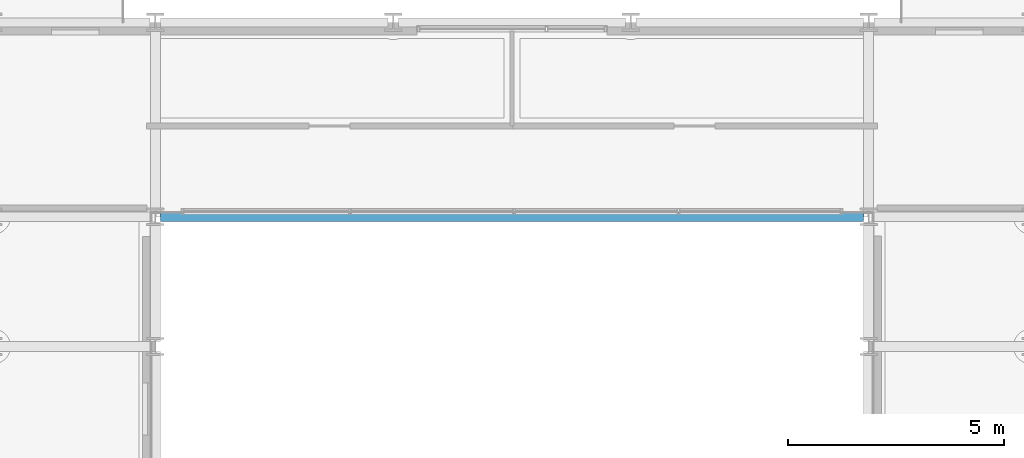
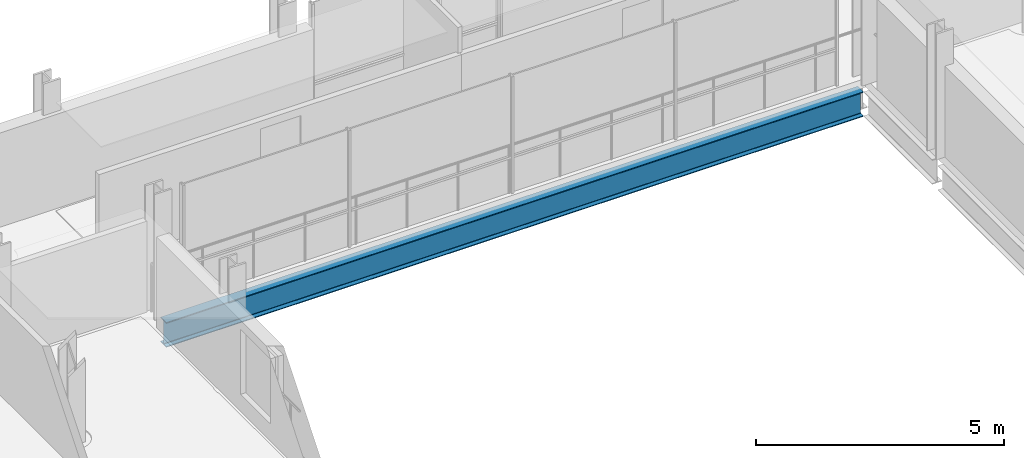
# One storey, part 12 of 40: 1 beam.
"""IFC4 building model written with IfcOpenShell, lengths in metres."""

import ifcopenshell
import ifcopenshell.guid

model = None  # the IFC model being written
_history = None  # IfcOwnerHistory: only IFC2X3 demands one
_inside = {}  # id of a spatial element -> (the spatial element, [elements in it])
_under = {}  # id of a project, library or spatial element -> (it, [spatial elements below it])
_declared = {}  # id of a project -> (the project, [libraries it declares])
_typed = {}  # id of a type object -> (the type object, [elements of that type])
_made_of = {}  # id of a material, layer set ... -> (it, [elements and type objects made of it])


def new_model(schema):
    """Start an empty IFC model of exactly this schema.

    Asked for "IFC4X3", IfcOpenShell would pick the latest addendum, in which some entities
    have other attributes; the version numbers below select the first issue.
    IFC2X3 requires an IfcOwnerHistory on every rooted entity: one is made here for all.
    """
    global model, _history
    if schema == "IFC4X3":
        model = ifcopenshell.file(schema_version=(4, 3, 0, 0))
    else:
        model = ifcopenshell.file(schema=schema)
    _inside.clear()
    _under.clear()
    _declared.clear()
    _typed.clear()
    _made_of.clear()
    _history = None
    if model.schema == "IFC2X3":
        org = make("IfcOrganization", Name="unknown")
        user = make(
            "IfcPersonAndOrganization",
            ThePerson=make("IfcPerson", FamilyName="unknown"),
            TheOrganization=org,
        )
        app = make(
            "IfcApplication",
            ApplicationDeveloper=org,
            Version="unknown",
            ApplicationFullName="unknown",
            ApplicationIdentifier="unknown",
        )
        _history = make(
            "IfcOwnerHistory",
            OwningUser=user,
            OwningApplication=app,
            ChangeAction="ADDED",
            CreationDate=0,
        )
    return model


def make(cls, **values):
    """One entity of the class cls with the attributes given. An attribute that is None is left unset."""
    return model.create_entity(
        cls, **{name: value for name, value in values.items() if value is not None}
    )


def rooted(cls, **values):
    """An entity with a GlobalId (a new one), such as an element, a storey or a relation."""
    return make(cls, GlobalId=ifcopenshell.guid.new(), OwnerHistory=_history, **values)


def si_unit(unit_type, name, prefix=None):
    """IfcSIUnit, for example si_unit("LENGTHUNIT", "METRE", prefix="MILLI")."""
    return make("IfcSIUnit", UnitType=unit_type, Prefix=prefix, Name=name)


def assignment(units):
    """IfcUnitAssignment: the units of a project."""
    return None if units is None else make("IfcUnitAssignment", Units=units)


def point(xyz):
    """IfcCartesianPoint."""
    return None if xyz is None else make("IfcCartesianPoint", Coordinates=xyz)


def direction(xyz):
    """IfcDirection."""
    return None if xyz is None else make("IfcDirection", DirectionRatios=xyz)


def frame(location, z_axis=None, x_axis=None):
    """IfcAxis2Placement3D, a coordinate frame: its origin and axes. An axis left out is left unset."""
    return make(
        "IfcAxis2Placement3D",
        Location=point(location),
        Axis=direction(z_axis),
        RefDirection=direction(x_axis),
    )


def frame_2d(location, x_axis=None):
    """IfcAxis2Placement2D, a coordinate frame in the plane: its origin and x axis."""
    return make(
        "IfcAxis2Placement2D", Location=point(location), RefDirection=direction(x_axis)
    )


def origin():
    """The frame at (0, 0, 0) with its axes left unset."""
    return frame((0.0, 0.0, 0.0))


def origin_2d():
    """The frame at (0, 0) in the plane with its x axis left unset."""
    return frame_2d((0.0, 0.0))


def place(relative_to, where):
    """IfcLocalPlacement: puts the frame where relative to a parent placement (None: the world)."""
    return make(
        "IfcLocalPlacement", PlacementRelTo=relative_to, RelativePlacement=where
    )


def context(
    kind, dimensions, precision=None, world=None, true_north=None, identifier=None
):
    """IfcGeometricRepresentationContext, for example the 3D "Model" context."""
    return make(
        "IfcGeometricRepresentationContext",
        ContextIdentifier=identifier,
        ContextType=kind,
        CoordinateSpaceDimension=dimensions,
        Precision=precision,
        WorldCoordinateSystem=world,
        TrueNorth=true_north,
    )


def subcontext(parent, identifier, kind, view, scale=None):
    """IfcGeometricRepresentationSubContext, for example "Body" below "Model"."""
    return make(
        "IfcGeometricRepresentationSubContext",
        ContextIdentifier=identifier,
        ContextType=kind,
        ParentContext=parent,
        TargetScale=scale,
        TargetView=view,
    )


def project(units=None, contexts=None):
    """IfcProject with its units and contexts."""
    return rooted(
        "IfcProject",
        Name="project",
        RepresentationContexts=contexts,
        UnitsInContext=assignment(units),
    )


def spatial(cls, under=None, at=None, **own):
    """A site, building, storey or space (cls), placed at a placement, below another one or the project."""
    s = rooted(cls, ObjectPlacement=at, **own)
    if under is not None:
        _under.setdefault(under.id(), (under, []))[1].append(s)
    return s


def profile(cls, at=None, kind="AREA", **sizes):
    """A parametric profile (cls). Its sizes go by their IFC names, for example OverallWidth=200.0."""
    return make(cls, ProfileType=kind, Position=at, **sizes)


def i_section(**sizes):
    """IfcIShapeProfileDef."""
    return profile("IfcIShapeProfileDef", **sizes)


def extrude(swept, where, along, depth):
    """IfcExtrudedAreaSolid: the profile swept, set in the frame where, extruded along a direction by depth."""
    return make(
        "IfcExtrudedAreaSolid",
        SweptArea=swept,
        Position=where,
        ExtrudedDirection=direction(along),
        Depth=depth,
    )


def shape(context_of_items, identifier, shape_type, items):
    """IfcShapeRepresentation: the items that make up one representation, for example the "Body"."""
    return make(
        "IfcShapeRepresentation",
        ContextOfItems=context_of_items,
        RepresentationIdentifier=identifier,
        RepresentationType=shape_type,
        Items=items,
    )


def material(Name=None, Category=None):
    """IfcMaterial."""
    return make("IfcMaterial", Name=Name, Category=Category)


def material_profile(
    of_material, cross_section, Name=None, Category=None, Priority=None
):
    """IfcMaterialProfile: a cross section and its material."""
    return make(
        "IfcMaterialProfile",
        Name=Name,
        Material=of_material,
        Profile=cross_section,
        Priority=Priority,
        Category=Category,
    )


def profile_set(profiles, Name=None, composite=None):
    """IfcMaterialProfileSet."""
    return make(
        "IfcMaterialProfileSet",
        Name=Name,
        MaterialProfiles=profiles,
        CompositeProfile=composite,
    )


def made_of(thing, what):
    """Note that an element or type object is made of a material, layer set ...; save() writes the relation."""
    if what is not None:
        _made_of.setdefault(what.id(), (what, []))[1].append(thing)
    return thing


def type_object(cls, material=None, **own):
    """A type object (cls), such as IfcWallType, which elements share."""
    return made_of(rooted(cls, **own), material)


def element(
    cls,
    number,
    at=None,
    inside=None,
    cuts=None,
    type_object=None,
    material=None,
    context=None,
    identifier="Body",
    shape_type=None,
    held_by="IfcProductDefinitionShape",
    body=None,
    shapes=None,
    **own,
):
    """One element of the class cls, such as IfcWall. Its Tag is "e" and its number.

    at: its placement. inside: the storey or other place that contains it. cuts: it is an
    opening in that element (IfcRelVoidsElement). A single representation is given by context,
    identifier, shape_type and body (its items); several are given by shapes. held_by: the class
    of the entity that holds the representations. save() writes the other relations.
    """
    e = rooted(cls, Tag="e%d" % number, ObjectPlacement=at, **own)
    if body is not None:
        shapes = [shape(context, identifier, shape_type, body)]
    if shapes is not None:
        e.Representation = make(held_by, Representations=shapes)
    if inside is not None:
        _inside.setdefault(inside.id(), (inside, []))[1].append(e)
    if cuts is not None:
        rooted(
            "IfcRelVoidsElement", RelatingBuildingElement=cuts, RelatedOpeningElement=e
        )
    if type_object is not None:
        _typed.setdefault(type_object.id(), (type_object, []))[1].append(e)
    return made_of(e, material)


def aggregate(whole, parts):
    """IfcRelAggregates: a whole, such as a stair, and the parts it consists of."""
    return rooted("IfcRelAggregates", RelatingObject=whole, RelatedObjects=parts)


def save(model, path):
    """Write the relations noted so far, then the file.

    IfcRelAggregates (storeys below a building ...), IfcRelContainedInSpatialStructure (elements
    in a storey), IfcRelDefinesByType, IfcRelAssociatesMaterial and IfcRelDeclares: one each for
    every whole, place, type object, material and project.
    """
    for whole, parts in _under.values():
        aggregate(whole, parts)
    for where, things in _inside.values():
        rooted(
            "IfcRelContainedInSpatialStructure",
            RelatedElements=things,
            RelatingStructure=where,
        )
    for kind, things in _typed.values():
        rooted("IfcRelDefinesByType", RelatedObjects=things, RelatingType=kind)
    for what, things in _made_of.values():
        rooted("IfcRelAssociatesMaterial", RelatedObjects=things, RelatingMaterial=what)
    for by, libraries in _declared.values():
        rooted("IfcRelDeclares", RelatingContext=by, RelatedDefinitions=libraries)
    model.write(path)


model = new_model("IFC4")

# Units and contexts
model_context = context("Model", 3, precision=1e-05, world=origin(), true_north=direction((0.0, 1.0)))
body_context = subcontext(model_context, "Body", "Model", "MODEL_VIEW")
ifc_project = project(units=[si_unit("LENGTHUNIT", "METRE"), si_unit("AREAUNIT", "SQUARE_METRE"), si_unit("VOLUMEUNIT", "CUBIC_METRE"), si_unit("PLANEANGLEUNIT", "RADIAN"), si_unit("MASSUNIT", "GRAM", prefix="KILO")], contexts=[model_context])

# Site, building, storey
site_placement = place(None, origin())
site = spatial("IfcSite", under=ifc_project, at=site_placement, CompositionType="ELEMENT")
building_placement = place(site_placement, origin())
building = spatial("IfcBuilding", under=site, at=building_placement, Name="Brevholm Reach", CompositionType="ELEMENT")
storey_placement = place(building_placement, frame((0.0, 0.0, 160.39990234375)))
storey = spatial("IfcBuildingStorey", under=building, at=storey_placement, Name="L48", CompositionType="ELEMENT", Elevation=160.39990234375)

# Beam
ifc_material = material(Name="Structural Steel S355J2", Category="steel")
ifc_material_profile = material_profile(ifc_material, i_section(OverallWidth=0.22900390625, OverallDepth=0.6123046875, WebThickness=0.011962890625, FlangeThickness=0.01953125, FilletRadius=0.0126953125, at=origin_2d()), Name="UKB 610x229x125")
ifc_profile_set = profile_set([ifc_material_profile], Name="Structural Steel S355J2")
beam_type = type_object("IfcBeamType", Name="BM-SP610", PredefinedType="SPANDREL", material=ifc_profile_set)
beam_placement = place(storey_placement, frame((21.8701171875, 26.5, -0.526123046875), z_axis=(1.0, 0.0, 0.0), x_axis=(0.0, 1.0, 0.0)))
element("IfcBeam", 1, at=beam_placement, inside=storey, type_object=beam_type, Name="L48 SP-01 Framing Beam", PredefinedType="SPANDREL", context=body_context, shape_type="SweptSolid", body=[
    extrude(i_section(OverallWidth=0.22900390625, OverallDepth=0.6123046875, WebThickness=0.011962890625, FlangeThickness=0.01953125, FilletRadius=0.0126953125, at=origin_2d()), origin(), (0.0, 0.0, 1.0), 16.259765625),
])

save(model, "model.ifc")
